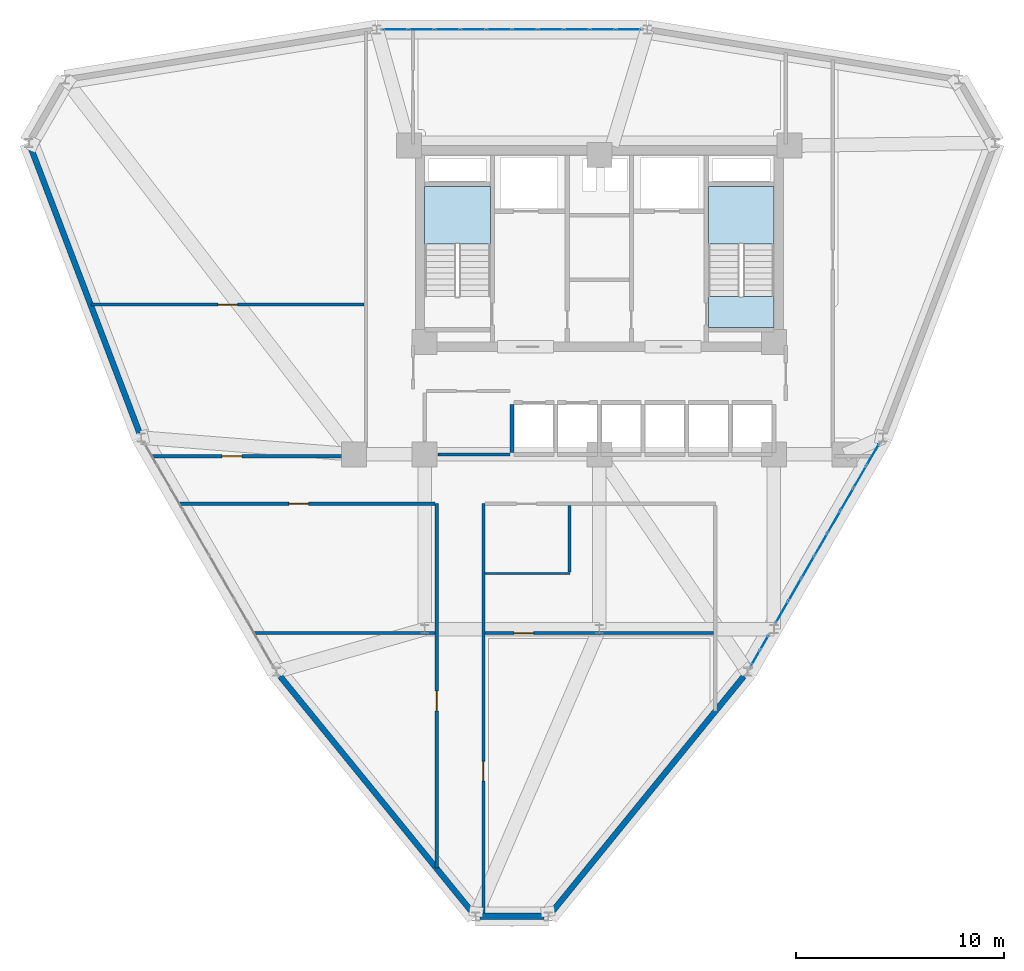
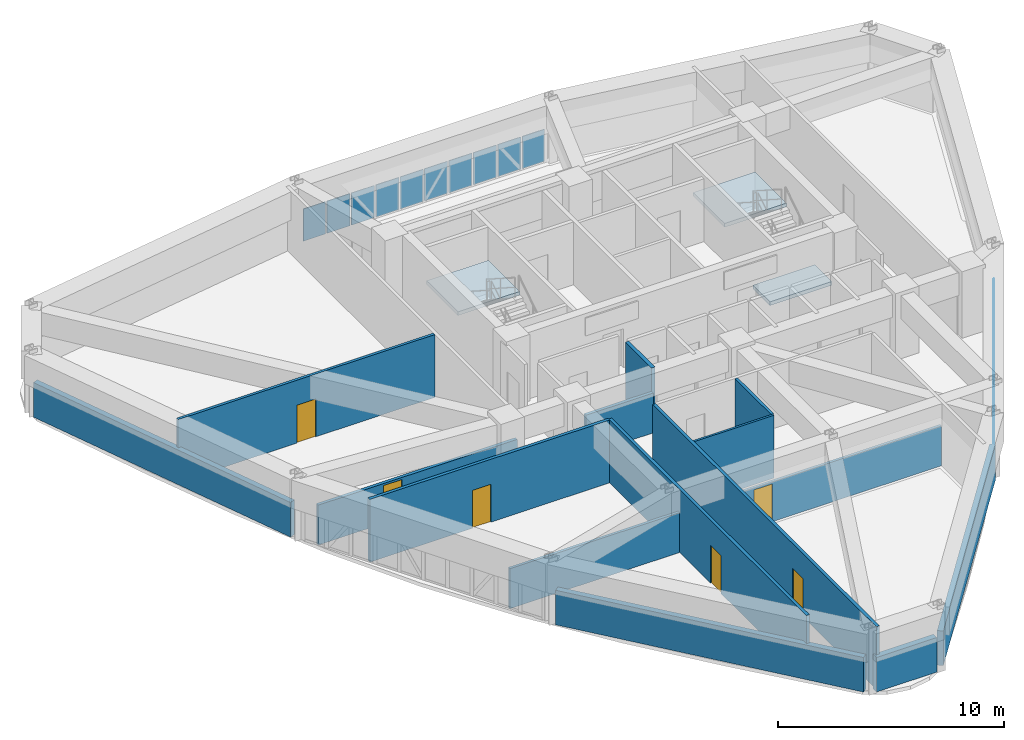
# One storey, part 10 of 13: 20 plates, 15 walls, 6 doors, 3 slabs, 6 openings, 5 elements without a shape of their own.
"""IFC4 building model written with IfcOpenShell, lengths in metres."""

from ifc_helpers import new_model, si_unit, derived_unit, direction, frame, frame_2d, origin, origin_2d, place, context, subcontext, project, spatial, polyline, rectangle, outline, extrude, source, transform, mapped, material, layer, layer_set, type_object, element, fill, aggregate, save


model = new_model("IFC4")

# Units and contexts
model_context = context("Model", 3, precision=1e-05, world=origin(), true_north=direction((0.0, 1.0)))
body_context = subcontext(model_context, "Body", "Model", "MODEL_VIEW")
ifc_project = project(units=[si_unit("LENGTHUNIT", "METRE"), si_unit("AREAUNIT", "SQUARE_METRE"), si_unit("VOLUMEUNIT", "CUBIC_METRE"), si_unit("PLANEANGLEUNIT", "RADIAN"), si_unit("MASSUNIT", "GRAM", prefix="KILO"), derived_unit("THERMALTRANSMITTANCEUNIT", [(si_unit("POWERUNIT", "WATT"), 1), (si_unit("LENGTHUNIT", "METRE"), -2), (si_unit("THERMODYNAMICTEMPERATUREUNIT", "KELVIN"), -1)])], contexts=[model_context])

# Site, building, storey
site_placement = place(None, origin())
site = spatial("IfcSite", under=ifc_project, at=site_placement, CompositionType="ELEMENT")
building_placement = place(site_placement, origin())
building = spatial("IfcBuilding", under=site, at=building_placement, Name="Korsvarv Bourse and Concert Hall", CompositionType="ELEMENT")
storey_placement = place(building_placement, frame((0.0, 0.0, 154.199951171875)))
storey = spatial("IfcBuildingStorey", under=building, at=storey_placement, Name="L39", CompositionType="ELEMENT", Elevation=154.199951171875)

# Slab
ifc_material_1 = material(Name="Precast concrete C45/55", Category="concrete")
ifc_layer_1 = layer(ifc_material_1, 0.199951171875)
ifc_layer_set_1 = layer_set([ifc_layer_1], Name="Precast concrete C45/55")
slab_type_1 = type_object("IfcSlabType", Name="SLB-FLND-T", PredefinedType="LANDING", material=ifc_layer_set_1)
slab_1_placement = place(storey_placement, frame((0.0, 0.0, -0.199951171875)))
element("IfcSlab", 1, at=slab_1_placement, inside=storey, type_object=slab_type_1, Name="L39 Stair ST-T2 Floor Landing Slab", PredefinedType="LANDING", context=body_context, shape_type="SweptSolid", body=[
    extrude(outline(polyline([(44.39990234375, 38.5), (44.39990234375, 40.0), (41.239990234375, 40.0), (41.239990234375, 38.5), (44.39990234375, 38.5)])), origin(), (0.0, 0.0, 1.0), 0.199951171875),
])

# Stair, slab
stair_type = type_object("IfcStairType", Name="STR-TYPE-04", PredefinedType="HALF_TURN_STAIR", material=ifc_material_1)
stair_1_placement = place(storey_placement, origin())
stair_1 = element("IfcStair", 2, at=stair_1_placement, inside=storey, type_object=stair_type, Name="L39 Tower West Exit Stair ST-T1", PredefinedType="HALF_TURN_STAIR")
ifc_layer_2 = layer(ifc_material_1, 0.199951171875)
ifc_layer_set_2 = layer_set([ifc_layer_2], Name="Precast concrete C45/55")
slab_type_2 = type_object("IfcSlabType", Name="SLB-ST-LND", PredefinedType="LANDING", material=ifc_layer_set_2)
slab_2_placement = place(storey_placement, frame((0.0, 0.0, 1.60009765625)))
slab_2 = element("IfcSlab", 3, at=slab_2_placement, type_object=slab_type_2, Name="ST-T1 landing 1", PredefinedType="LANDING", context=body_context, shape_type="SweptSolid", body=[
    extrude(outline(polyline([(30.760009765625, 42.52001953125), (30.760009765625, 45.300048828125), (27.60009765625, 45.300048828125), (27.60009765625, 42.52001953125), (30.760009765625, 42.52001953125)])), origin(), (0.0, 0.0, 1.0), 0.199951171875),
])
aggregate(stair_1, [slab_2])

stair_2_placement = place(storey_placement, origin())
stair_2 = element("IfcStair", 4, at=stair_2_placement, inside=storey, type_object=stair_type, Name="L39 Tower East Exit Stair ST-T2", PredefinedType="HALF_TURN_STAIR")
slab_3_placement = place(storey_placement, frame((0.0, 0.0, 1.60009765625)))
slab_3 = element("IfcSlab", 5, at=slab_3_placement, type_object=slab_type_2, Name="ST-T2 landing 1", PredefinedType="LANDING", context=body_context, shape_type="SweptSolid", body=[
    extrude(outline(polyline([(44.39990234375, 42.52001953125), (44.39990234375, 45.300048828125), (41.239990234375, 45.300048828125), (41.239990234375, 42.52001953125), (44.39990234375, 42.52001953125)])), origin(), (0.0, 0.0, 1.0), 0.199951171875),
])
aggregate(stair_2, [slab_3])

# Curtain wall, plates
ifc_material_2 = material(Name="Anodised aluminium and triple low-E glazing", Category="glass")
ifc_layer_3 = layer(ifc_material_2, 0.2099609375)
ifc_layer_set_3 = layer_set([ifc_layer_3], Name="Anodised aluminium and triple low-E glazing")
curtain_wall_type = type_object("IfcCurtainWallType", Name="CW-SYS-2", PredefinedType="NOTDEFINED", material=ifc_layer_set_3)
curtain_wall_1_placement = place(storey_placement, origin())
curtain_wall_1 = element("IfcCurtainWall", 6, at=curtain_wall_1_placement, inside=storey, type_object=curtain_wall_type, Name="L39 CW2 curtain wall CW-L39-F03", PredefinedType="NOTDEFINED")
ifc_material_3 = material(Name="Tempered triple insulated low-E architectural glass", Category="glass")
ifc_layer_4 = layer(ifc_material_3, 0.0380859375)
ifc_layer_set_4 = layer_set([ifc_layer_4], Name="Tempered triple insulated low-E architectural glass")
plate_type_1 = type_object("IfcPlateType", Name="CWP-VIS2", PredefinedType="CURTAIN_PANEL", material=ifc_layer_set_4)
shared_shape_1 = source(origin(), body_context, "Body", "SweptSolid", [
    extrude(rectangle(XDim=1.14404296875, YDim=0.0380859375, at=origin_2d()), origin(), (0.0, 0.0, 1.0), 1.739990234375),
])
plate_1_placement = place(storey_placement, frame((37.40283203125, 52.83642578125, 0.06494140625), z_axis=(0.0, 0.0, 1.0), x_axis=(-1.0, 0.0, 0.0)))
plate_1 = element("IfcPlate", 7, at=plate_1_placement, type_object=plate_type_1, Name="CW2 faceted panel 1.1", PredefinedType="CURTAIN_PANEL", context=body_context, shape_type="MappedRepresentation", body=[
    mapped(shared_shape_1, transform((0.0, 0.0, 0.0), scale=1.0)),
])
plate_2_placement = place(storey_placement, frame((26.197265625, 52.83642578125, 0.06494140625), z_axis=(0.0, 0.0, 1.0), x_axis=(-1.0, 0.0, 0.0)))
plate_2 = element("IfcPlate", 8, at=plate_2_placement, type_object=plate_type_1, Name="CW2 faceted panel 10.1", PredefinedType="CURTAIN_PANEL", context=body_context, shape_type="MappedRepresentation", body=[
    mapped(shared_shape_1, transform((0.0, 0.0, 0.0), scale=1.0)),
])
ifc_material_4 = material(Name="Insulated spandrel glass", Category="glass")
ifc_layer_5 = layer(ifc_material_4, 0.031982421875)
ifc_layer_set_5 = layer_set([ifc_layer_5], Name="Insulated spandrel glass")
plate_type_2 = type_object("IfcPlateType", Name="CWP-SPD1", PredefinedType="CURTAIN_PANEL", material=ifc_layer_set_5)
shared_shape_2 = source(origin(), body_context, "Body", "SweptSolid", [
    extrude(rectangle(XDim=1.178955078125, YDim=0.031982421875, at=origin_2d()), origin(), (0.0, 0.0, 1.0), 1.739990234375),
])
plate_3_placement = place(storey_placement, frame((36.17138671875, 52.83642578125, 0.06494140625), z_axis=(0.0, 0.0, 1.0), x_axis=(-1.0, 0.0, 0.0)))
plate_3 = element("IfcPlate", 9, at=plate_3_placement, type_object=plate_type_2, Name="CW2 spandrel shadow-box panel 2.1", PredefinedType="CURTAIN_PANEL", context=body_context, shape_type="MappedRepresentation", body=[
    mapped(shared_shape_2, transform((0.0, 0.0, 0.0), scale=1.0)),
])
plate_4_placement = place(storey_placement, frame((32.424560546875, 52.83642578125, 0.06494140625), z_axis=(0.0, 0.0, 1.0), x_axis=(-1.0, 0.0, 0.0)))
plate_4 = element("IfcPlate", 10, at=plate_4_placement, type_object=plate_type_2, Name="CW2 spandrel shadow-box panel 5.1", PredefinedType="CURTAIN_PANEL", context=body_context, shape_type="MappedRepresentation", body=[
    mapped(shared_shape_2, transform((0.0, 0.0, 0.0), scale=1.0)),
])
plate_5_placement = place(storey_placement, frame((28.677490234375, 52.83642578125, 0.06494140625), z_axis=(0.0, 0.0, 1.0), x_axis=(-1.0, 0.0, 0.0)))
plate_5 = element("IfcPlate", 11, at=plate_5_placement, type_object=plate_type_2, Name="CW2 spandrel shadow-box panel 8.1", PredefinedType="CURTAIN_PANEL", context=body_context, shape_type="MappedRepresentation", body=[
    mapped(shared_shape_2, transform((0.0, 0.0, 0.0), scale=1.0)),
])
shared_shape_3 = source(origin(), body_context, "Body", "SweptSolid", [
    extrude(rectangle(XDim=1.178955078125, YDim=0.0380859375, at=origin_2d()), origin(), (0.0, 0.0, 1.0), 1.739990234375),
])
plate_6_placement = place(storey_placement, frame((34.92236328125, 52.83642578125, 0.06494140625), z_axis=(0.0, 0.0, 1.0), x_axis=(-1.0, 0.0, 0.0)))
plate_6 = element("IfcPlate", 12, at=plate_6_placement, type_object=plate_type_1, Name="CW2 faceted panel 3.1", PredefinedType="CURTAIN_PANEL", context=body_context, shape_type="MappedRepresentation", body=[
    mapped(shared_shape_3, transform((0.0, 0.0, 0.0), scale=1.0)),
])
plate_7_placement = place(storey_placement, frame((33.67333984375, 52.83642578125, 0.06494140625), z_axis=(0.0, 0.0, 1.0), x_axis=(-1.0, 0.0, 0.0)))
plate_7 = element("IfcPlate", 13, at=plate_7_placement, type_object=plate_type_1, Name="CW2 faceted panel 4.1", PredefinedType="CURTAIN_PANEL", context=body_context, shape_type="MappedRepresentation", body=[
    mapped(shared_shape_3, transform((0.0, 0.0, 0.0), scale=1.0)),
])
plate_8_placement = place(storey_placement, frame((31.175537109375, 52.83642578125, 0.06494140625), z_axis=(0.0, 0.0, 1.0), x_axis=(-1.0, 0.0, 0.0)))
plate_8 = element("IfcPlate", 14, at=plate_8_placement, type_object=plate_type_1, Name="CW2 faceted panel 6.1", PredefinedType="CURTAIN_PANEL", context=body_context, shape_type="MappedRepresentation", body=[
    mapped(shared_shape_3, transform((0.0, 0.0, 0.0), scale=1.0)),
])
plate_9_placement = place(storey_placement, frame((29.926513671875, 52.83642578125, 0.06494140625), z_axis=(0.0, 0.0, 1.0), x_axis=(-1.0, 0.0, 0.0)))
plate_9 = element("IfcPlate", 15, at=plate_9_placement, type_object=plate_type_1, Name="CW2 faceted panel 7.1", PredefinedType="CURTAIN_PANEL", context=body_context, shape_type="MappedRepresentation", body=[
    mapped(shared_shape_3, transform((0.0, 0.0, 0.0), scale=1.0)),
])
plate_10_placement = place(storey_placement, frame((27.4287109375, 52.83642578125, 0.06494140625), z_axis=(0.0, 0.0, 1.0), x_axis=(-1.0, 0.0, 0.0)))
plate_10 = element("IfcPlate", 16, at=plate_10_placement, type_object=plate_type_1, Name="CW2 faceted panel 9.1", PredefinedType="CURTAIN_PANEL", context=body_context, shape_type="MappedRepresentation", body=[
    mapped(shared_shape_3, transform((0.0, 0.0, 0.0), scale=1.0)),
])
aggregate(curtain_wall_1, [plate_1, plate_3, plate_6, plate_7, plate_4, plate_8, plate_9, plate_5, plate_10, plate_2])

curtain_wall_2_placement = place(storey_placement, origin())
curtain_wall_2 = element("IfcCurtainWall", 17, at=curtain_wall_2_placement, inside=storey, type_object=curtain_wall_type, Name="L39 CW2 curtain wall CW-L39-F11-1", PredefinedType="NOTDEFINED")
shared_shape_4 = source(origin(), body_context, "Body", "SweptSolid", [
    extrude(rectangle(XDim=0.7685546875, YDim=0.031982421875, at=origin_2d()), origin(), (0.0, 0.0, 1.0), 1.739990234375),
])
plate_11_placement = place(storey_placement, frame((43.511962890625, 22.61279296875, 0.06494140625), z_axis=(0.0, 0.0, 1.0), x_axis=(0.500004853961, 0.866022601331, 0.0)))
plate_11 = element("IfcPlate", 18, at=plate_11_placement, type_object=plate_type_2, Name="CW2 spandrel shadow-box panel 1.1", PredefinedType="CURTAIN_PANEL", context=body_context, shape_type="MappedRepresentation", body=[
    mapped(shared_shape_4, transform((0.0, 0.0, 0.0), scale=1.0)),
])
shared_shape_5 = source(origin(), body_context, "Body", "SweptSolid", [
    extrude(rectangle(XDim=0.7685546875, YDim=0.0380859375, at=origin_2d()), origin(), (0.0, 0.0, 1.0), 1.739990234375),
])
plate_12_placement = place(storey_placement, frame((43.93115234375, 23.339111328125, 0.06494140625), z_axis=(0.0, 0.0, 1.0), x_axis=(0.500004853961, 0.866022601331, 0.0)))
plate_12 = element("IfcPlate", 19, at=plate_12_placement, type_object=plate_type_1, Name="CW2 faceted panel 2.1", PredefinedType="CURTAIN_PANEL", context=body_context, shape_type="MappedRepresentation", body=[
    mapped(shared_shape_5, transform((0.0, 0.0, 0.0), scale=1.0)),
])
aggregate(curtain_wall_2, [plate_11, plate_12])

curtain_wall_3_placement = place(storey_placement, origin())
curtain_wall_3 = element("IfcCurtainWall", 20, at=curtain_wall_3_placement, inside=storey, type_object=curtain_wall_type, Name="L39 CW2 curtain wall CW-L39-F11-2", PredefinedType="NOTDEFINED")
shared_shape_6 = source(origin(), body_context, "Body", "SweptSolid", [
    extrude(rectangle(XDim=1.1474609375, YDim=0.031982421875, at=origin_2d()), origin(), (0.0, 0.0, 1.0), 1.739990234375),
])
plate_13_placement = place(storey_placement, frame((44.7890625, 24.824951171875, 0.06494140625), z_axis=(0.0, 0.0, 1.0), x_axis=(0.500004690206, 0.866022695876, 0.0)))
plate_13 = element("IfcPlate", 21, at=plate_13_placement, type_object=plate_type_2, Name="CW2 spandrel shadow-box panel 1.1", PredefinedType="CURTAIN_PANEL", context=body_context, shape_type="MappedRepresentation", body=[
    mapped(shared_shape_6, transform((0.0, 0.0, 0.0), scale=1.0)),
])
shared_shape_7 = source(origin(), body_context, "Body", "SweptSolid", [
    extrude(rectangle(XDim=1.182373046875, YDim=0.0380859375, at=origin_2d()), origin(), (0.0, 0.0, 1.0), 1.739990234375),
])
plate_14_placement = place(storey_placement, frame((45.406494140625, 25.894287109375, 0.06494140625), z_axis=(0.0, 0.0, 1.0), x_axis=(0.500004690206, 0.866022695876, 0.0)))
plate_14 = element("IfcPlate", 22, at=plate_14_placement, type_object=plate_type_1, Name="CW2 faceted panel 2.1", PredefinedType="CURTAIN_PANEL", context=body_context, shape_type="MappedRepresentation", body=[
    mapped(shared_shape_7, transform((0.0, 0.0, 0.0), scale=1.0)),
])
plate_15_placement = place(storey_placement, frame((46.03271484375, 26.97900390625, 0.06494140625), z_axis=(0.0, 0.0, 1.0), x_axis=(0.500004690206, 0.866022695876, 0.0)))
plate_15 = element("IfcPlate", 23, at=plate_15_placement, type_object=plate_type_1, Name="CW2 faceted panel 3.1", PredefinedType="CURTAIN_PANEL", context=body_context, shape_type="MappedRepresentation", body=[
    mapped(shared_shape_7, transform((0.0, 0.0, 0.0), scale=1.0)),
])
plate_16_placement = place(storey_placement, frame((47.28515625, 29.148193359375, 0.06494140625), z_axis=(0.0, 0.0, 1.0), x_axis=(0.500004690206, 0.866022695876, 0.0)))
plate_16 = element("IfcPlate", 24, at=plate_16_placement, type_object=plate_type_1, Name="CW2 faceted panel 5.1", PredefinedType="CURTAIN_PANEL", context=body_context, shape_type="MappedRepresentation", body=[
    mapped(shared_shape_7, transform((0.0, 0.0, 0.0), scale=1.0)),
])
plate_17_placement = place(storey_placement, frame((47.911376953125, 30.232666015625, 0.06494140625), z_axis=(0.0, 0.0, 1.0), x_axis=(0.500004690206, 0.866022695876, 0.0)))
plate_17 = element("IfcPlate", 25, at=plate_17_placement, type_object=plate_type_1, Name="CW2 faceted panel 6.1", PredefinedType="CURTAIN_PANEL", context=body_context, shape_type="MappedRepresentation", body=[
    mapped(shared_shape_7, transform((0.0, 0.0, 0.0), scale=1.0)),
])
shared_shape_8 = source(origin(), body_context, "Body", "SweptSolid", [
    extrude(rectangle(XDim=1.182373046875, YDim=0.031982421875, at=origin_2d()), origin(), (0.0, 0.0, 1.0), 1.739990234375),
])
plate_18_placement = place(storey_placement, frame((46.658935546875, 28.0634765625, 0.06494140625), z_axis=(0.0, 0.0, 1.0), x_axis=(0.500004690206, 0.866022695876, 0.0)))
plate_18 = element("IfcPlate", 26, at=plate_18_placement, type_object=plate_type_2, Name="CW2 spandrel shadow-box panel 4.1", PredefinedType="CURTAIN_PANEL", context=body_context, shape_type="MappedRepresentation", body=[
    mapped(shared_shape_8, transform((0.0, 0.0, 0.0), scale=1.0)),
])
plate_19_placement = place(storey_placement, frame((48.53759765625, 31.317138671875, 0.06494140625), z_axis=(0.0, 0.0, 1.0), x_axis=(0.500004690206, 0.866022695876, 0.0)))
plate_19 = element("IfcPlate", 27, at=plate_19_placement, type_object=plate_type_2, Name="CW2 spandrel shadow-box panel 7.1", PredefinedType="CURTAIN_PANEL", context=body_context, shape_type="MappedRepresentation", body=[
    mapped(shared_shape_8, transform((0.0, 0.0, 0.0), scale=1.0)),
])
shared_shape_9 = source(origin(), body_context, "Body", "SweptSolid", [
    extrude(rectangle(XDim=1.1474609375, YDim=0.0380859375, at=origin_2d()), origin(), (0.0, 0.0, 1.0), 1.739990234375),
])
plate_20_placement = place(storey_placement, frame((49.155029296875, 32.38671875, 0.06494140625), z_axis=(0.0, 0.0, 1.0), x_axis=(0.500004690206, 0.866022695876, 0.0)))
plate_20 = element("IfcPlate", 28, at=plate_20_placement, type_object=plate_type_1, Name="CW2 faceted panel 8.1", PredefinedType="CURTAIN_PANEL", context=body_context, shape_type="MappedRepresentation", body=[
    mapped(shared_shape_9, transform((0.0, 0.0, 0.0), scale=1.0)),
])
aggregate(curtain_wall_3, [plate_13, plate_14, plate_15, plate_18, plate_16, plate_17, plate_19, plate_20])

# Walls
ifc_material_5 = material(Name="Precast concrete C45/55 with terracotta rainscreen", Category="concrete")
ifc_layer_6 = layer(ifc_material_5, 0.300048828125)
ifc_layer_set_6 = layer_set([ifc_layer_6], Name="Precast concrete C45/55 with terracotta rainscreen")
wall_type_1 = type_object("IfcWallType", Name="WL-EXT-TC1", PredefinedType="SOLIDWALL", material=ifc_layer_set_6)
wall_1_placement = place(storey_placement, frame((30.258056640625, 10.183837890625, 0.0), z_axis=(0.0, 0.0, 1.0), x_axis=(1.0, 0.0, 0.0)))
element("IfcWall", 29, at=wall_1_placement, inside=storey, type_object=wall_type_1, Name="L39 terracotta exterior wall EW-L39-B09", PredefinedType="SOLIDWALL", context=body_context, shape_type="SweptSolid", body=[
    extrude(rectangle(XDim=3.083740234375, YDim=0.300048828125, at=frame_2d((1.5419921875, 0.0))), origin(), (0.0, 0.0, 1.0), 1.8701171875),
])
ifc_material_6 = material(Name="Precast concrete C45/55 with fluted terracotta pier", Category="concrete")
ifc_layer_7 = layer(ifc_material_6, 0.280029296875)
ifc_layer_set_7 = layer_set([ifc_layer_7], Name="Precast concrete C45/55 with fluted terracotta pier")
wall_type_2 = type_object("IfcWallType", Name="WL-EXT-TC2", PredefinedType="SOLIDWALL", material=ifc_layer_set_7)
wall_2_placement = place(storey_placement, frame((8.65087890625, 47.16748046875, 0.0), z_axis=(0.0, 0.0, 1.0), x_axis=(0.356077530784, -0.934456415287, 0.0)))
element("IfcWall", 30, at=wall_2_placement, inside=storey, type_object=wall_type_2, Name="L39 terracotta exterior wall EW-L39-B06", PredefinedType="SOLIDWALL", context=body_context, shape_type="SweptSolid", body=[
    extrude(rectangle(XDim=14.69677734375, YDim=0.280029296875, at=frame_2d((7.348388671875, 0.0))), origin(), (0.0, 0.0, 1.0), 1.8701171875),
])
for number, where, z_axis, x_axis, name in (
    (31, (20.650634765625, 21.7294921875, 0.0), (0.0, 0.0, 1.0), (0.631219465915, -0.775604271423, 0.0), "L39 terracotta exterior wall EW-L39-B08"),
    (32, (33.73388671875, 10.40625, 0.0), (0.0, 0.0, 1.0), (0.631219465915, 0.775604271423, 0.0), "L39 terracotta exterior wall EW-L39-B10"),
):
    element("IfcWall", number, at=place(storey_placement, frame(where, z_axis=z_axis, x_axis=x_axis)), inside=storey, type_object=wall_type_2, Name=name, PredefinedType="SOLIDWALL", context=body_context, shape_type="SweptSolid", body=[
        extrude(rectangle(XDim=14.599365234375, YDim=0.280029296875, at=frame_2d((7.2998046875, 0.0))), origin(), (0.0, 0.0, 1.0), 1.8701171875),
    ])
ifc_material_7 = material(Name="Double-stud fire-rated acoustic partition", Category="gypsum")
ifc_layer_8 = layer(ifc_material_7, 0.159912109375)
ifc_layer_set_8 = layer_set([ifc_layer_8], Name="Double-stud fire-rated acoustic partition")
wall_type_3 = type_object("IfcWallType", Name="WL-INT-EI60", PredefinedType="PARTITIONING", material=ifc_layer_set_8)
wall_3_placement = place(storey_placement, frame((28.25, 32.39990234375, 0.0), z_axis=(0.0, 0.0, 1.0), x_axis=(1.0, 0.0, 0.0)))
element("IfcWall", 33, at=wall_3_placement, inside=storey, type_object=wall_type_3, Name="L39 interior partition wall W-L39-FRD-S", PredefinedType="PARTITIONING", context=body_context, shape_type="SweptSolid", body=[
    extrude(rectangle(XDim=3.449951171875, YDim=0.159912109375, at=frame_2d((1.72509765625, 0.0))), origin(), (0.0, 0.0, 1.0), 2.16015625),
])

# Wall, opening, door
wall_4_placement = place(storey_placement, frame((30.425048828125, 10.203857421875, 0.0), z_axis=(0.0, 0.0, 1.0), x_axis=(0.0, 1.0, 0.0)))
wall_4 = element("IfcWall", 34, at=wall_4_placement, inside=storey, type_object=wall_type_3, Name="L39 interior partition wall W-L39-TCOR-02", PredefinedType="PARTITIONING", context=body_context, shape_type="SweptSolid", body=[
    extrude(rectangle(XDim=19.826171875, YDim=0.159912109375, at=frame_2d((9.9130859375, 0.0))), origin(), (0.0, 0.0, 1.0), 3.400146484375),
])
opening_1_placement = place(wall_4_placement, frame((6.484375, 0.0, 0.0)))
opening_1 = element("IfcOpeningElement", 35, at=opening_1_placement, cuts=wall_4, Name="Opening D-02", PredefinedType="OPENING", context=body_context, shape_type="SweptSolid", body=[
    extrude(rectangle(XDim=0.949951171875, YDim=2.050048828125, at=frame_2d((0.47509765625, 1.02490234375))), frame((0.0, 0.08984375, 0.0), z_axis=(0.0, -1.0, 0.0), x_axis=(1.0, 0.0, 0.0)), (0.0, 0.0, 1.0), 0.179931640625),
])
ifc_material_8 = material(Name="Timber and steel acoustic fire door", Category="wood")
door_type_1 = type_object("IfcDoorType", Name="DR-FD30", OperationType="NOTDEFINED", PredefinedType="DOOR", material=ifc_material_8)
door_1_placement = place(opening_1_placement, origin())
door_1 = element("IfcDoor", 36, at=door_1_placement, inside=storey, type_object=door_type_1, Name="L39 interior door DR-L39-TCOR-BAR3", OperationType="SINGLE_SWING_RIGHT", OverallHeight=2.050048828125, OverallWidth=0.949951171875, PredefinedType="DOOR", context=body_context, shape_type="SweptSolid", body=[
    extrude(rectangle(XDim=0.949951171875, YDim=2.050048828125, at=frame_2d((0.47509765625, 1.02490234375))), frame((0.0, 0.02490234375, 0.0), z_axis=(0.0, -1.0, 0.0), x_axis=(1.0, 0.0, 0.0)), (0.0, 0.0, 1.0), 0.050048828125),
])
fill(opening_1, door_1)

wall_5_placement = place(storey_placement, frame((28.175048828125, 12.504150390625, 0.0), z_axis=(0.0, 0.0, 1.0), x_axis=(0.0, 1.0, 0.0)))
wall_5 = element("IfcWall", 37, at=wall_5_placement, inside=storey, type_object=wall_type_3, Name="L39 interior partition wall W-L39-TCOR-04", PredefinedType="PARTITIONING", context=body_context, shape_type="SweptSolid", body=[
    extrude(rectangle(XDim=17.52587890625, YDim=0.159912109375, at=frame_2d((8.762939453125, 0.0))), origin(), (0.0, 0.0, 1.0), 3.400146484375),
])
opening_2_placement = place(wall_5_placement, frame((7.55712890625, 0.0, 0.0)))
opening_2 = element("IfcOpeningElement", 38, at=opening_2_placement, cuts=wall_5, Name="Opening D-02", PredefinedType="OPENING", context=body_context, shape_type="SweptSolid", body=[
    extrude(rectangle(XDim=0.949951171875, YDim=2.050048828125, at=frame_2d((0.47509765625, 1.02490234375))), frame((0.0, 0.08984375, 0.0), z_axis=(0.0, -1.0, 0.0), x_axis=(1.0, 0.0, 0.0)), (0.0, 0.0, 1.0), 0.179931640625),
])
door_2_placement = place(opening_2_placement, origin())
door_2 = element("IfcDoor", 39, at=door_2_placement, inside=storey, type_object=door_type_1, Name="L39 interior door DR-L39-TCOR-EDR5", OperationType="SINGLE_SWING_RIGHT", OverallHeight=2.050048828125, OverallWidth=0.949951171875, PredefinedType="DOOR", context=body_context, shape_type="SweptSolid", body=[
    extrude(rectangle(XDim=0.949951171875, YDim=2.050048828125, at=frame_2d((0.47509765625, 1.02490234375))), frame((0.0, 0.02490234375, 0.0), z_axis=(0.0, -1.0, 0.0), x_axis=(1.0, 0.0, 0.0)), (0.0, 0.0, 1.0), 0.050048828125),
])
fill(opening_2, door_2)

wall_6_placement = place(storey_placement, frame((15.82861328125, 30.02490234375, 0.0), z_axis=(0.0, 0.0, 1.0), x_axis=(1.0, 0.0, 0.0)))
wall_6 = element("IfcWall", 40, at=wall_6_placement, inside=storey, type_object=wall_type_3, Name="L39 interior partition wall W-L39-TCOR-05", PredefinedType="PARTITIONING", context=body_context, shape_type="SweptSolid", body=[
    extrude(rectangle(XDim=12.264404296875, YDim=0.159912109375, at=frame_2d((6.13232421875, 0.0))), origin(), (0.0, 0.0, 1.0), 3.400146484375),
])
opening_3_placement = place(wall_6_placement, frame((5.245361328125, 0.0, 0.0)))
opening_3 = element("IfcOpeningElement", 41, at=opening_3_placement, cuts=wall_6, Name="Opening D-02", PredefinedType="OPENING", context=body_context, shape_type="SweptSolid", body=[
    extrude(rectangle(XDim=0.949951171875, YDim=2.050048828125, at=frame_2d((0.47509765625, 1.02490234375))), frame((0.0, 0.08984375, 0.0), z_axis=(0.0, -1.0, 0.0), x_axis=(1.0, 0.0, 0.0)), (0.0, 0.0, 1.0), 0.179931640625),
])
door_3_placement = place(opening_3_placement, origin())
door_3 = element("IfcDoor", 42, at=door_3_placement, inside=storey, type_object=door_type_1, Name="L39 interior door DR-L39-TCOR-WDR6", OperationType="SINGLE_SWING_LEFT", OverallHeight=2.050048828125, OverallWidth=0.949951171875, PredefinedType="DOOR", context=body_context, shape_type="SweptSolid", body=[
    extrude(rectangle(XDim=0.949951171875, YDim=2.050048828125, at=frame_2d((0.47509765625, 1.02490234375))), frame((0.0, 0.02490234375, 0.0), z_axis=(0.0, -1.0, 0.0), x_axis=(1.0, 0.0, 0.0)), (0.0, 0.0, 1.0), 0.050048828125),
])
fill(opening_3, door_3)

wall_7_placement = place(storey_placement, frame((14.506591796875, 32.31494140625, 0.0), z_axis=(0.0, 0.0, 1.0), x_axis=(1.0, 0.0, 0.0)))
wall_7 = element("IfcWall", 43, at=wall_7_placement, inside=storey, type_object=wall_type_3, Name="L39 interior partition wall W-L39-TCOR-07", PredefinedType="PARTITIONING", context=body_context, shape_type="SweptSolid", body=[
    extrude(rectangle(XDim=10.1865234375, YDim=0.159912109375, at=frame_2d((5.09326171875, 0.0))), origin(), (0.0, 0.0, 1.0), 2.16015625),
])
opening_4_placement = place(wall_7_placement, frame((3.346923828125, 0.0, 0.0)))
opening_4 = element("IfcOpeningElement", 44, at=opening_4_placement, cuts=wall_7, Name="Opening D-02", PredefinedType="OPENING", context=body_context, shape_type="SweptSolid", body=[
    extrude(rectangle(XDim=0.949951171875, YDim=2.050048828125, at=frame_2d((0.47509765625, 1.02490234375))), frame((0.0, 0.08984375, 0.0), z_axis=(0.0, -1.0, 0.0), x_axis=(1.0, 0.0, 0.0)), (0.0, 0.0, 1.0), 0.179931640625),
])
door_4_placement = place(opening_4_placement, origin())
door_4 = element("IfcDoor", 45, at=door_4_placement, inside=storey, type_object=door_type_1, Name="L39 interior door DR-L39-TCOR-KIT7", OperationType="SINGLE_SWING_LEFT", OverallHeight=2.050048828125, OverallWidth=0.949951171875, PredefinedType="DOOR", context=body_context, shape_type="SweptSolid", body=[
    extrude(rectangle(XDim=0.949951171875, YDim=2.050048828125, at=frame_2d((0.47509765625, 1.02490234375))), frame((0.0, 0.02490234375, 0.0), z_axis=(0.0, -1.0, 0.0), x_axis=(1.0, 0.0, 0.0)), (0.0, 0.0, 1.0), 0.050048828125),
])
fill(opening_4, door_4)

# Walls
ifc_material_9 = material(Name="Gypsum-clad autoclaved concrete shaft wall C30/37", Category="concrete")
ifc_layer_9 = layer(ifc_material_9, 0.179931640625)
ifc_layer_set_9 = layer_set([ifc_layer_9], Name="Gypsum-clad autoclaved concrete shaft wall C30/37")
wall_type_4 = type_object("IfcWallType", Name="WL-INT-EI90", PredefinedType="PARTITIONING", material=ifc_layer_set_9)
wall_8_placement = place(storey_placement, frame((31.800048828125, 32.489990234375, 0.0), z_axis=(0.0, 0.0, 1.0), x_axis=(0.0, 1.0, 0.0)))
element("IfcWall", 46, at=wall_8_placement, inside=storey, type_object=wall_type_4, Name="L39 interior partition wall W-L39-SHFW-PM1", PredefinedType="PARTITIONING", context=body_context, shape_type="SweptSolid", body=[
    extrude(rectangle(XDim=2.320068359375, YDim=0.179931640625, at=frame_2d((1.16015625, 0.0))), origin(), (0.0, 0.0, 1.0), 3.400146484375),
])
ifc_material_10 = material(Name="Demountable acoustic glass and aluminium dealing partition", Category="aluminium")
ifc_layer_10 = layer(ifc_material_10, 0.110107421875)
ifc_layer_set_10 = layer_set([ifc_layer_10], Name="Demountable acoustic glass and aluminium dealing partition")
wall_type_5 = type_object("IfcWallType", Name="WL-INT-MOV", PredefinedType="MOVABLE", material=ifc_layer_set_10)
wall_9_placement = place(storey_placement, frame((30.507080078125, 26.675048828125, 0.0), z_axis=(0.0, 0.0, 1.0), x_axis=(1.0, 0.0, 0.0)))
element("IfcWall", 47, at=wall_9_placement, inside=storey, type_object=wall_type_5, Name="L39 interior partition wall W-L39-TCOR-15", PredefinedType="MOVABLE", context=body_context, shape_type="SweptSolid", body=[
    extrude(rectangle(XDim=4.072998046875, YDim=0.110107421875, at=frame_2d((2.03662109375, 0.0))), origin(), (0.0, 0.0, 1.0), 3.400146484375),
])

# Wall, opening, door
ifc_material_11 = material(Name="Insulated steel-stud office acoustic partition", Category="gypsum")
ifc_layer_11 = layer(ifc_material_11, 0.139892578125)
ifc_layer_set_11 = layer_set([ifc_layer_11], Name="Insulated steel-stud office acoustic partition")
wall_type_6 = type_object("IfcWallType", Name="WL-INT-P1", PredefinedType="PARTITIONING", material=ifc_layer_set_11)
wall_10_placement = place(storey_placement, frame((11.552490234375, 39.60498046875, 0.0), z_axis=(0.0, 0.0, 1.0), x_axis=(1.0, 0.0, 0.0)))
wall_10 = element("IfcWall", 48, at=wall_10_placement, inside=storey, type_object=wall_type_6, Name="L39 interior partition wall W-L39-TCOR-12", PredefinedType="PARTITIONING", context=body_context, shape_type="SweptSolid", body=[
    extrude(rectangle(XDim=13.140625, YDim=0.139892578125, at=frame_2d((6.5703125, 0.0))), origin(), (0.0, 0.0, 1.0), 3.400146484375),
])
opening_5_placement = place(wall_10_placement, frame((6.09521484375, 0.0, 0.0)))
opening_5 = element("IfcOpeningElement", 49, at=opening_5_placement, cuts=wall_10, Name="Opening D-03", PredefinedType="OPENING", context=body_context, shape_type="SweptSolid", body=[
    extrude(rectangle(XDim=0.949951171875, YDim=2.050048828125, at=frame_2d((0.47509765625, 1.02490234375))), frame((0.0, 0.080078125, 0.0), z_axis=(0.0, -1.0, 0.0), x_axis=(1.0, 0.0, 0.0)), (0.0, 0.0, 1.0), 0.159912109375),
])
ifc_material_12 = material(Name="Nordic oak acoustic office door", Category="wood")
door_type_2 = type_object("IfcDoorType", Name="DR-INT-1", OperationType="NOTDEFINED", PredefinedType="DOOR", material=ifc_material_12)
door_5_placement = place(opening_5_placement, origin())
door_5 = element("IfcDoor", 50, at=door_5_placement, inside=storey, type_object=door_type_2, Name="L39 interior door DR-L39-TCOR-PRP8", OperationType="SINGLE_SWING_LEFT", OverallHeight=2.050048828125, OverallWidth=0.949951171875, PredefinedType="DOOR", context=body_context, shape_type="SweptSolid", body=[
    extrude(rectangle(XDim=0.949951171875, YDim=2.050048828125, at=frame_2d((0.47509765625, 1.02490234375))), frame((0.0, 0.02490234375, 0.0), z_axis=(0.0, -1.0, 0.0), x_axis=(1.0, 0.0, 0.0)), (0.0, 0.0, 1.0), 0.050048828125),
])
fill(opening_5, door_5)

wall_11_placement = place(storey_placement, frame((30.507080078125, 23.804931640625, 0.0), z_axis=(0.0, 0.0, 1.0), x_axis=(1.0, 0.0, 0.0)))
wall_11 = element("IfcWall", 51, at=wall_11_placement, inside=storey, type_object=wall_type_6, Name="L39 interior partition wall W-L39-TCOR-13", PredefinedType="PARTITIONING", context=body_context, shape_type="SweptSolid", body=[
    extrude(rectangle(XDim=10.98583984375, YDim=0.139892578125, at=frame_2d((5.492919921875, 0.0))), origin(), (0.0, 0.0, 1.0), 2.16015625),
])
opening_6_placement = place(wall_11_placement, frame((1.3876953125, 0.0, 0.0)))
opening_6 = element("IfcOpeningElement", 52, at=opening_6_placement, cuts=wall_11, Name="Opening D-03", PredefinedType="OPENING", context=body_context, shape_type="SweptSolid", body=[
    extrude(rectangle(XDim=0.949951171875, YDim=2.050048828125, at=frame_2d((0.47509765625, 1.02490234375))), frame((0.0, 0.080078125, 0.0), z_axis=(0.0, -1.0, 0.0), x_axis=(1.0, 0.0, 0.0)), (0.0, 0.0, 1.0), 0.159912109375),
])
door_6_placement = place(opening_6_placement, origin())
door_6 = element("IfcDoor", 53, at=door_6_placement, inside=storey, type_object=door_type_2, Name="L39 interior door DR-L39-TCOR-RST4", OperationType="SINGLE_SWING_RIGHT", OverallHeight=2.050048828125, OverallWidth=0.949951171875, PredefinedType="DOOR", context=body_context, shape_type="SweptSolid", body=[
    extrude(rectangle(XDim=0.949951171875, YDim=2.050048828125, at=frame_2d((0.47509765625, 1.02490234375))), frame((0.0, 0.02490234375, 0.0), z_axis=(0.0, -1.0, 0.0), x_axis=(1.0, 0.0, 0.0)), (0.0, 0.0, 1.0), 0.050048828125),
])
fill(opening_6, door_6)

# Walls
wall_12_placement = place(storey_placement, frame((19.419677734375, 23.804931640625, 0.0), z_axis=(0.0, 0.0, 1.0), x_axis=(1.0, 0.0, 0.0)))
element("IfcWall", 54, at=wall_12_placement, inside=storey, type_object=wall_type_6, Name="L39 interior partition wall W-L39-TCOR-14", PredefinedType="PARTITIONING", context=body_context, shape_type="SweptSolid", body=[
    extrude(rectangle(XDim=8.67333984375, YDim=0.139892578125, at=frame_2d((4.336669921875, 0.0))), origin(), (0.0, 0.0, 1.0), 2.16015625),
])
wall_13_placement = place(storey_placement, frame((34.574951171875, 26.7470703125, 0.0), z_axis=(0.0, 0.0, 1.0), x_axis=(0.0, 1.0, 0.0)))
element("IfcWall", 55, at=wall_13_placement, inside=storey, type_object=wall_type_6, Name="L39 interior partition wall W-L39-TCOR-16", PredefinedType="PARTITIONING", context=body_context, shape_type="SweptSolid", body=[
    extrude(rectangle(XDim=3.196044921875, YDim=0.139892578125, at=frame_2d((1.59814453125, 0.0))), origin(), (0.0, 0.0, 1.0), 3.400146484375),
])

save(model, "model.ifc")
